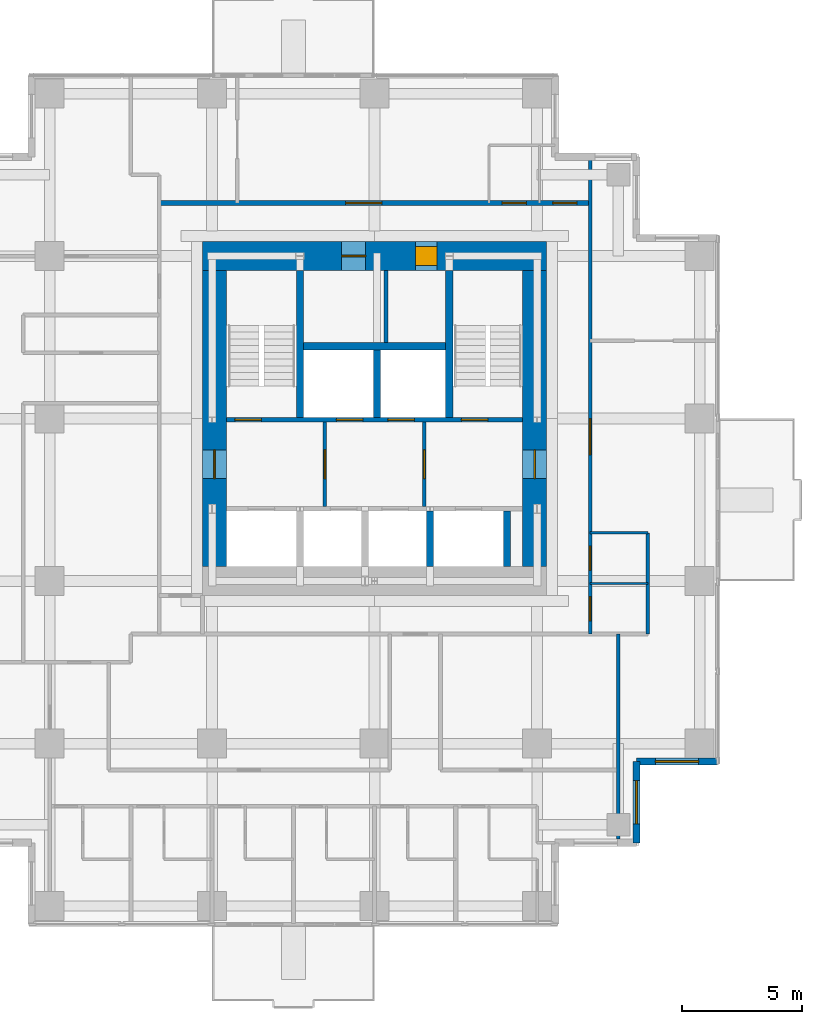
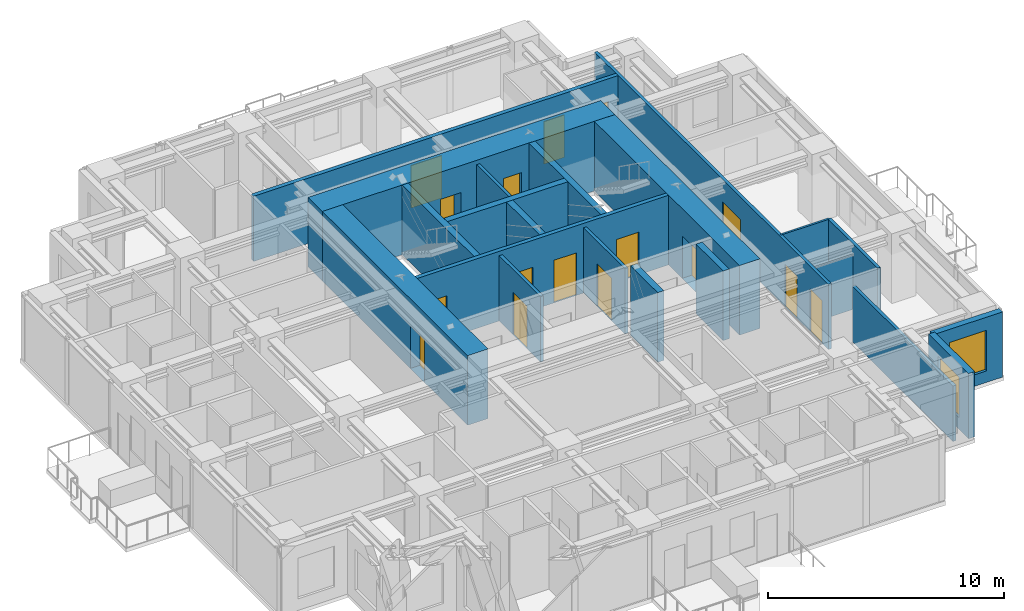
# One storey, part 6 of 8: 21 walls, 16 doors, 2 windows, 18 openings.
"""IFC4 building model written with IfcOpenShell, lengths in metres."""

from ifc_helpers import new_model, si_unit, direction, frame, frame_2d, origin, place, context, subcontext, project, spatial, rectangle, extrude, material, layer, layer_set, type_object, element, fill, save


model = new_model("IFC4")

# Units and contexts
model_context = context("Model", 3, precision=1e-05, world=origin(), true_north=direction((0.0, 1.0)))
body_context = subcontext(model_context, "Body", "Model", "MODEL_VIEW")
ifc_project = project(units=[si_unit("LENGTHUNIT", "METRE"), si_unit("AREAUNIT", "SQUARE_METRE"), si_unit("VOLUMEUNIT", "CUBIC_METRE"), si_unit("PLANEANGLEUNIT", "RADIAN"), si_unit("MASSUNIT", "GRAM", prefix="KILO")], contexts=[model_context])

# Site, building, storey
site_placement = place(None, origin())
site = spatial("IfcSite", under=ifc_project, at=site_placement, CompositionType="ELEMENT")
building_placement = place(site_placement, origin())
building = spatial("IfcBuilding", under=site, at=building_placement, Name="Nyansa Garden Tower", CompositionType="ELEMENT")
storey_placement = place(building_placement, frame((0.0, 0.0, 171.0)))
storey = spatial("IfcBuildingStorey", under=building, at=storey_placement, Name="L46", CompositionType="ELEMENT", Elevation=171.0)

# Wall, openings, doors
ifc_material_1 = material(Name="Concrete C70/85", Category="concrete")
ifc_layer_1 = layer(ifc_material_1, 0.199951171875)
ifc_layer_set_1 = layer_set([ifc_layer_1], Name="Core inner wall CI200")
wall_type_1 = type_object("IfcWallType", Name="Core inner wall CI200", PredefinedType="SHEAR", material=ifc_layer_set_1)
wall_1_placement = place(storey_placement, frame((14.10009765625, 20.199951171875, 0.0), z_axis=(0.0, 0.0, 1.0), x_axis=(1.0, 0.0, 0.0)))
wall_1 = element("IfcWall", 1, at=wall_1_placement, inside=storey, type_object=wall_type_1, Name="Core inner wall L46", PredefinedType="SHEAR", context=body_context, shape_type="SweptSolid", body=[
    extrude(rectangle(XDim=12.2998046875, YDim=0.199951171875, at=frame_2d((6.14990234375, 0.0))), origin(), (0.0, 0.0, 1.0), 3.60009765625),
])
opening_1_placement = place(wall_1_placement, frame((4.56005859375, 0.0, 0.0)))
opening_1 = element("IfcOpeningElement", 2, at=opening_1_placement, cuts=wall_1, Name="Opening LD-B", PredefinedType="OPENING", context=body_context, shape_type="SweptSolid", body=[
    extrude(rectangle(XDim=1.10009765625, YDim=2.199951171875, at=frame_2d((0.550048828125, 1.10009765625))), frame((0.0, 0.10986328125, 0.0), z_axis=(0.0, -1.0, 0.0), x_axis=(1.0, 0.0, 0.0)), (0.0, 0.0, 1.0), 0.219970703125),
])
opening_2_placement = place(wall_1_placement, frame((6.699951171875, 0.0, 0.0)))
opening_2 = element("IfcOpeningElement", 3, at=opening_2_placement, cuts=wall_1, Name="Opening LD-B", PredefinedType="OPENING", context=body_context, shape_type="SweptSolid", body=[
    extrude(rectangle(XDim=1.10009765625, YDim=2.199951171875, at=frame_2d((0.550048828125, 1.10009765625))), frame((0.0, 0.10986328125, 0.0), z_axis=(0.0, -1.0, 0.0), x_axis=(1.0, 0.0, 0.0)), (0.0, 0.0, 1.0), 0.219970703125),
])
opening_3_placement = place(wall_1_placement, frame((0.35009765625, 0.0, 0.0)))
opening_3 = element("IfcOpeningElement", 4, at=opening_3_placement, cuts=wall_1, Name="Opening D05", PredefinedType="OPENING", context=body_context, shape_type="SweptSolid", body=[
    extrude(rectangle(XDim=1.10009765625, YDim=2.199951171875, at=frame_2d((0.550048828125, 1.10009765625))), frame((0.0, 0.10986328125, 0.0), z_axis=(0.0, -1.0, 0.0), x_axis=(1.0, 0.0, 0.0)), (0.0, 0.0, 1.0), 0.219970703125),
])
opening_4_placement = place(wall_1_placement, frame((9.75, 0.0, 0.0)))
opening_4 = element("IfcOpeningElement", 5, at=opening_4_placement, cuts=wall_1, Name="Opening D05", PredefinedType="OPENING", context=body_context, shape_type="SweptSolid", body=[
    extrude(rectangle(XDim=1.10009765625, YDim=2.199951171875, at=frame_2d((0.550048828125, 1.10009765625))), frame((0.0, 0.10986328125, 0.0), z_axis=(0.0, -1.0, 0.0), x_axis=(1.0, 0.0, 0.0)), (0.0, 0.0, 1.0), 0.219970703125),
])
ifc_material_2 = material(Name="Stainless steel centre-opening landing door of the high-rise lift, E 120", Category="steel")
door_type_1 = type_object("IfcDoorType", Name="Lift landing door LD-B 1100x2200", OperationType="DOUBLE_DOOR_SLIDING", PredefinedType="DOOR", material=ifc_material_2)
door_1_placement = place(opening_1_placement, origin())
door_1 = element("IfcDoor", 6, at=door_1_placement, inside=storey, type_object=door_type_1, Name="Landing door B3", OperationType="DOUBLE_DOOR_SLIDING", OverallHeight=2.199951171875, OverallWidth=1.10009765625, PredefinedType="DOOR", context=body_context, shape_type="SweptSolid", body=[
    extrude(rectangle(XDim=1.10009765625, YDim=2.199951171875, at=frame_2d((0.550048828125, 1.10009765625))), frame((0.0, 0.02490234375, 0.0), z_axis=(0.0, -1.0, 0.0), x_axis=(1.0, 0.0, 0.0)), (0.0, 0.0, 1.0), 0.050048828125),
])
fill(opening_1, door_1)
door_2_placement = place(opening_2_placement, origin())
door_2 = element("IfcDoor", 7, at=door_2_placement, inside=storey, type_object=door_type_1, Name="Landing door B4", OperationType="DOUBLE_DOOR_SLIDING", OverallHeight=2.199951171875, OverallWidth=1.10009765625, PredefinedType="DOOR", context=body_context, shape_type="SweptSolid", body=[
    extrude(rectangle(XDim=1.10009765625, YDim=2.199951171875, at=frame_2d((0.550048828125, 1.10009765625))), frame((0.0, 0.02490234375, 0.0), z_axis=(0.0, -1.0, 0.0), x_axis=(1.0, 0.0, 0.0)), (0.0, 0.0, 1.0), 0.050048828125),
])
fill(opening_2, door_2)
ifc_material_3 = material(Name="Steel door, 120 minute fire resisting", Category="steel")
door_type_2 = type_object("IfcDoorType", Name="Stair door D05 1100x2200", OperationType="SINGLE_SWING_LEFT", PredefinedType="DOOR", material=ifc_material_3)
door_3_placement = place(opening_3_placement, origin())
door_3 = element("IfcDoor", 8, at=door_3_placement, inside=storey, type_object=door_type_2, Name="Stair S1 door", OperationType="SINGLE_SWING_LEFT", OverallHeight=2.199951171875, OverallWidth=1.10009765625, PredefinedType="DOOR", context=body_context, shape_type="SweptSolid", body=[
    extrude(rectangle(XDim=1.10009765625, YDim=2.199951171875, at=frame_2d((0.550048828125, 1.10009765625))), frame((0.0, 0.02490234375, 0.0), z_axis=(0.0, -1.0, 0.0), x_axis=(1.0, 0.0, 0.0)), (0.0, 0.0, 1.0), 0.050048828125),
])
fill(opening_3, door_3)
door_4_placement = place(opening_4_placement, origin())
door_4 = element("IfcDoor", 9, at=door_4_placement, inside=storey, type_object=door_type_2, Name="Stair S2 door", OperationType="SINGLE_SWING_LEFT", OverallHeight=2.199951171875, OverallWidth=1.10009765625, PredefinedType="DOOR", context=body_context, shape_type="SweptSolid", body=[
    extrude(rectangle(XDim=1.10009765625, YDim=2.199951171875, at=frame_2d((0.550048828125, 1.10009765625))), frame((0.0, 0.02490234375, 0.0), z_axis=(0.0, -1.0, 0.0), x_axis=(1.0, 0.0, 0.0)), (0.0, 0.0, 1.0), 0.050048828125),
])
fill(opening_4, door_4)

# Walls
ifc_material_4 = material(Name="Concrete C70/85", Category="concrete")
ifc_layer_2 = layer(ifc_material_4, 0.300048828125)
ifc_layer_set_2 = layer_set([ifc_layer_2], Name="Core inner wall CI300")
wall_type_2 = type_object("IfcWallType", Name="Core inner wall CI300", PredefinedType="SHEAR", material=ifc_layer_set_2)
for number, where, z_axis, x_axis, name in (
    (10, (17.14990234375, 20.300048828125, 0.0), (0.0, 0.0, 1.0), (0.0, 1.0, 0.0), "Core inner wall L46"),
    (11, (23.35009765625, 20.300048828125, 0.0), (0.0, 0.0, 1.0), (0.0, 1.0, 0.0), "Core inner wall L46"),
):
    element("IfcWall", number, at=place(storey_placement, frame(where, z_axis=z_axis, x_axis=x_axis)), inside=storey, type_object=wall_type_2, Name=name, PredefinedType="SHEAR", context=body_context, shape_type="SweptSolid", body=[
        extrude(rectangle(XDim=6.099853515625, YDim=0.300048828125, at=frame_2d((3.0498046875, 0.0))), origin(), (0.0, 0.0, 1.0), 3.60009765625),
    ])
wall_2_placement = place(storey_placement, frame((20.35009765625, 20.300048828125, 0.0), z_axis=(0.0, 0.0, 1.0), x_axis=(0.0, 1.0, 0.0)))
element("IfcWall", 12, at=wall_2_placement, inside=storey, type_object=wall_type_2, Name="Core inner wall L46", PredefinedType="SHEAR", context=body_context, shape_type="SweptSolid", body=[
    extrude(rectangle(XDim=2.800048828125, YDim=0.300048828125, at=frame_2d((1.39990234375, 0.0))), origin(), (0.0, 0.0, 1.0), 3.60009765625),
])
wall_3_placement = place(storey_placement, frame((17.300048828125, 23.25, 0.0), z_axis=(0.0, 0.0, 1.0), x_axis=(1.0, 0.0, 0.0)))
element("IfcWall", 13, at=wall_3_placement, inside=storey, type_object=wall_type_2, Name="Core inner wall L46", PredefinedType="SHEAR", context=body_context, shape_type="SweptSolid", body=[
    extrude(rectangle(XDim=5.89990234375, YDim=0.300048828125, at=frame_2d((2.949951171875, 0.0))), origin(), (0.0, 0.0, 1.0), 3.60009765625),
])
for number, where, z_axis, x_axis, name in (
    (14, (22.550048828125, 14.10009765625, 0.0), (0.0, 0.0, 1.0), (0.0, 1.0, 0.0), "Core inner wall L46"),
    (15, (25.75, 14.10009765625, 0.0), (0.0, 0.0, 1.0), (0.0, 1.0, 0.0), "Core inner wall L46"),
):
    element("IfcWall", number, at=place(storey_placement, frame(where, z_axis=z_axis, x_axis=x_axis)), inside=storey, type_object=wall_type_2, Name=name, PredefinedType="SHEAR", context=body_context, shape_type="SweptSolid", body=[
        extrude(rectangle(XDim=2.2998046875, YDim=0.300048828125, at=frame_2d((1.14990234375, 0.0))), origin(), (0.0, 0.0, 1.0), 3.60009765625),
    ])

# Wall, opening, door
ifc_material_5 = material(Name="Concrete C80/95", Category="concrete")
ifc_layer_3 = layer(ifc_material_5, 1.0)
ifc_layer_set_3 = layer_set([ifc_layer_3], Name="Core wall CW1000")
wall_type_3 = type_object("IfcWallType", Name="Core wall CW1000", PredefinedType="SHEAR", material=ifc_layer_set_3)
wall_4_placement = place(storey_placement, frame((26.89990234375, 14.10009765625, 0.0), z_axis=(0.0, 0.0, 1.0), x_axis=(0.0, 1.0, 0.0)))
wall_4 = element("IfcWall", 16, at=wall_4_placement, inside=storey, type_object=wall_type_3, Name="Core wall E L46", PredefinedType="SHEAR", context=body_context, shape_type="SweptSolid", body=[
    extrude(rectangle(XDim=12.2998046875, YDim=1.0, at=frame_2d((6.14990234375, 0.0))), origin(), (0.0, 0.0, 1.0), 3.60009765625),
])
opening_5_placement = place(wall_4_placement, frame((3.64990234375, 0.0, 0.0)))
opening_5 = element("IfcOpeningElement", 17, at=opening_5_placement, cuts=wall_4, Name="Opening D06", PredefinedType="OPENING", context=body_context, shape_type="SweptSolid", body=[
    extrude(rectangle(XDim=1.199951171875, YDim=2.199951171875, at=frame_2d((0.60009765625, 1.10009765625))), frame((0.0, 0.510009765625, 0.0), z_axis=(0.0, -1.0, 0.0), x_axis=(1.0, 0.0, 0.0)), (0.0, 0.0, 1.0), 1.02001953125),
])
ifc_material_6 = material(Name="Steel door, 120 minute fire resisting", Category="steel")
door_type_3 = type_object("IfcDoorType", Name="Lobby door D06 1200x2200", OperationType="DOUBLE_DOOR_SINGLE_SWING", PredefinedType="DOOR", material=ifc_material_6)
door_5_placement = place(opening_5_placement, origin())
door_5 = element("IfcDoor", 18, at=door_5_placement, inside=storey, type_object=door_type_3, Name="Lift lobby door east", OperationType="DOUBLE_DOOR_SINGLE_SWING", OverallHeight=2.199951171875, OverallWidth=1.199951171875, PredefinedType="DOOR", context=body_context, shape_type="SweptSolid", body=[
    extrude(rectangle(XDim=1.199951171875, YDim=2.199951171875, at=frame_2d((0.60009765625, 1.10009765625))), frame((0.0, 0.02490234375, 0.0), z_axis=(0.0, -1.0, 0.0), x_axis=(1.0, 0.0, 0.0)), (0.0, 0.0, 1.0), 0.050048828125),
])
fill(opening_5, door_5)

wall_5_placement = place(storey_placement, frame((13.60009765625, 26.39990234375, 0.0), z_axis=(0.0, 0.0, 1.0), x_axis=(0.0, -1.0, 0.0)))
wall_5 = element("IfcWall", 19, at=wall_5_placement, inside=storey, type_object=wall_type_3, Name="Core wall W L46", PredefinedType="SHEAR", context=body_context, shape_type="SweptSolid", body=[
    extrude(rectangle(XDim=12.2998046875, YDim=1.0, at=frame_2d((6.14990234375, 0.0))), origin(), (0.0, 0.0, 1.0), 3.60009765625),
])
opening_6_placement = place(wall_5_placement, frame((7.449951171875, 0.0, 0.0)))
opening_6 = element("IfcOpeningElement", 20, at=opening_6_placement, cuts=wall_5, Name="Opening D06", PredefinedType="OPENING", context=body_context, shape_type="SweptSolid", body=[
    extrude(rectangle(XDim=1.199951171875, YDim=2.199951171875, at=frame_2d((0.60009765625, 1.10009765625))), frame((0.0, 0.510009765625, 0.0), z_axis=(0.0, -1.0, 0.0), x_axis=(1.0, 0.0, 0.0)), (0.0, 0.0, 1.0), 1.02001953125),
])
door_6_placement = place(opening_6_placement, origin())
door_6 = element("IfcDoor", 21, at=door_6_placement, inside=storey, type_object=door_type_3, Name="Lift lobby door west", OperationType="DOUBLE_DOOR_SINGLE_SWING", OverallHeight=2.199951171875, OverallWidth=1.199951171875, PredefinedType="DOOR", context=body_context, shape_type="SweptSolid", body=[
    extrude(rectangle(XDim=1.199951171875, YDim=2.199951171875, at=frame_2d((0.60009765625, 1.10009765625))), frame((0.0, 0.02490234375, 0.0), z_axis=(0.0, -1.0, 0.0), x_axis=(1.0, 0.0, 0.0)), (0.0, 0.0, 1.0), 0.050048828125),
])
fill(opening_6, door_6)

# Wall, openings, doors
ifc_material_7 = material(Name="Concrete C80/95", Category="concrete")
ifc_layer_4 = layer(ifc_material_7, 1.199951171875)
ifc_layer_set_4 = layer_set([ifc_layer_4], Name="Core wall CW1200")
wall_type_4 = type_object("IfcWallType", Name="Core wall CW1200", PredefinedType="SHEAR", material=ifc_layer_set_4)
wall_6_placement = place(storey_placement, frame((27.39990234375, 27.0, 0.0), z_axis=(0.0, 0.0, 1.0), x_axis=(-1.0, 0.0, 0.0)))
wall_6 = element("IfcWall", 22, at=wall_6_placement, inside=storey, type_object=wall_type_4, Name="Core wall N L46", PredefinedType="SHEAR", context=body_context, shape_type="SweptSolid", body=[
    extrude(rectangle(XDim=14.2998046875, YDim=1.199951171875, at=frame_2d((7.14990234375, 0.0))), origin(), (0.0, 0.0, 1.0), 3.60009765625),
])
opening_7_placement = place(wall_6_placement, frame((4.550048828125, 0.0, 0.0)))
opening_7 = element("IfcOpeningElement", 23, at=opening_7_placement, cuts=wall_6, Name="Opening D15", PredefinedType="OPENING", context=body_context, shape_type="SweptSolid", body=[
    extrude(rectangle(XDim=0.89990234375, YDim=2.199951171875, at=frame_2d((0.449951171875, 1.10009765625))), frame((0.0, 0.60986328125, 0.0), z_axis=(0.0, -1.0, 0.0), x_axis=(1.0, 0.0, 0.0)), (0.0, 0.0, 1.0), 1.219970703125),
])
opening_8_placement = place(wall_6_placement, frame((7.52490234375, 0.0, 0.0)))
opening_8 = element("IfcOpeningElement", 24, at=opening_8_placement, cuts=wall_6, Name="Opening D07", PredefinedType="OPENING", context=body_context, shape_type="SweptSolid", body=[
    extrude(rectangle(XDim=1.0, YDim=2.199951171875, at=frame_2d((0.5, 1.10009765625))), frame((0.0, 0.60986328125, 0.0), z_axis=(0.0, -1.0, 0.0), x_axis=(1.0, 0.0, 0.0)), (0.0, 0.0, 1.0), 1.219970703125),
])
ifc_material_8 = material(Name="Timber flush door, 60 minute fire resisting, self-closing", Category="wood")
door_type_4 = type_object("IfcDoorType", Name="Core room door D15 900x2200", OperationType="SINGLE_SWING_LEFT", PredefinedType="DOOR", material=ifc_material_8)
door_7_placement = place(opening_7_placement, origin())
door_7 = element("IfcDoor", 25, at=door_7_placement, inside=storey, type_object=door_type_4, Name="Core room door", OperationType="SINGLE_SWING_LEFT", OverallHeight=2.199951171875, OverallWidth=0.89990234375, PredefinedType="DOOR", context=body_context, shape_type="SweptSolid", body=[
    extrude(rectangle(XDim=0.89990234375, YDim=2.199951171875, at=frame_2d((0.449951171875, 1.10009765625))), frame((0.0, 0.39990234375, 0.0), z_axis=(0.0, -1.0, 0.0), x_axis=(1.0, 0.0, 0.0)), (0.0, 0.0, 1.0), 0.800048828125),
])
fill(opening_7, door_7)
ifc_material_9 = material(Name="Steel door, 120 minute fire resisting", Category="steel")
door_type_5 = type_object("IfcDoorType", Name="Riser door D07 1000x2200", OperationType="SINGLE_SWING_LEFT", PredefinedType="DOOR", material=ifc_material_9)
door_8_placement = place(opening_8_placement, origin())
door_8 = element("IfcDoor", 26, at=door_8_placement, inside=storey, type_object=door_type_5, Name="Riser and refuse room door", OperationType="SINGLE_SWING_LEFT", OverallHeight=2.199951171875, OverallWidth=1.0, PredefinedType="DOOR", context=body_context, shape_type="SweptSolid", body=[
    extrude(rectangle(XDim=1.0, YDim=2.199951171875, at=frame_2d((0.5, 1.10009765625))), frame((0.0, 0.02490234375, 0.0), z_axis=(0.0, -1.0, 0.0), x_axis=(1.0, 0.0, 0.0)), (0.0, 0.0, 1.0), 0.050048828125),
])
fill(opening_8, door_8)

ifc_material_10 = material(Name="Concrete blockwork, plastered, 60 minute fire resisting", Category="masonry")
ifc_layer_5 = layer(ifc_material_10, 0.199951171875)
ifc_layer_set_5 = layer_set([ifc_layer_5], Name="Corridor wall FW200")
wall_type_5 = type_object("IfcWallType", Name="Corridor wall FW200", PredefinedType="PARTITIONING", material=ifc_layer_set_5)
wall_7_placement = place(storey_placement, frame((11.300048828125, 29.199951171875, 0.0), z_axis=(0.0, 0.0, 1.0), x_axis=(1.0, 0.0, 0.0)))
wall_7 = element("IfcWall", 27, at=wall_7_placement, inside=storey, type_object=wall_type_5, Name="Corridor wall", PredefinedType="PARTITIONING", context=body_context, shape_type="SweptSolid", body=[
    extrude(rectangle(XDim=17.89990234375, YDim=0.199951171875, at=frame_2d((8.949951171875, 0.0))), origin(), (0.0, 0.0, 1.0), 3.375),
])
opening_9_placement = place(wall_7_placement, frame((14.25, 0.0, 0.0)))
opening_9 = element("IfcOpeningElement", 28, at=opening_9_placement, cuts=wall_7, Name="Opening D08", PredefinedType="OPENING", context=body_context, shape_type="SweptSolid", body=[
    extrude(rectangle(XDim=1.0, YDim=2.199951171875, at=frame_2d((0.5, 1.10009765625))), frame((0.0, 0.10986328125, 0.0), z_axis=(0.0, -1.0, 0.0), x_axis=(1.0, 0.0, 0.0)), (0.0, 0.0, 1.0), 0.219970703125),
])
opening_10_placement = place(wall_7_placement, frame((16.35009765625, 0.0, 0.0)))
opening_10 = element("IfcOpeningElement", 29, at=opening_10_placement, cuts=wall_7, Name="Opening D08", PredefinedType="OPENING", context=body_context, shape_type="SweptSolid", body=[
    extrude(rectangle(XDim=1.0, YDim=2.199951171875, at=frame_2d((0.5, 1.10009765625))), frame((0.0, 0.10986328125, 0.0), z_axis=(0.0, -1.0, 0.0), x_axis=(1.0, 0.0, 0.0)), (0.0, 0.0, 1.0), 0.219970703125),
])
opening_11_placement = place(wall_7_placement, frame((7.74853515625, 0.0, 0.0)))
opening_11 = element("IfcOpeningElement", 30, at=opening_11_placement, cuts=wall_7, Name="Opening D10", PredefinedType="OPENING", context=body_context, shape_type="SweptSolid", body=[
    extrude(rectangle(XDim=1.5, YDim=2.199951171875, at=frame_2d((0.75, 1.10009765625))), frame((0.0, 0.10986328125, 0.0), z_axis=(0.0, -1.0, 0.0), x_axis=(1.0, 0.0, 0.0)), (0.0, 0.0, 1.0), 0.219970703125),
])
ifc_material_11 = material(Name="Timber flush door, outward opening", Category="wood")
door_type_6 = type_object("IfcDoorType", Name="Accessible WC door D08 1000x2200", OperationType="SINGLE_SWING_LEFT", PredefinedType="DOOR", material=ifc_material_11)
door_9_placement = place(opening_9_placement, origin())
door_9 = element("IfcDoor", 31, at=door_9_placement, inside=storey, type_object=door_type_6, Name="Door L46-037", OperationType="SINGLE_SWING_LEFT", OverallHeight=2.199951171875, OverallWidth=1.0, PredefinedType="DOOR", context=body_context, shape_type="SweptSolid", body=[
    extrude(rectangle(XDim=1.0, YDim=2.199951171875, at=frame_2d((0.5, 1.10009765625))), frame((0.0, 0.02490234375, 0.0), z_axis=(0.0, -1.0, 0.0), x_axis=(1.0, 0.0, 0.0)), (0.0, 0.0, 1.0), 0.050048828125),
])
fill(opening_9, door_9)
door_10_placement = place(opening_10_placement, origin())
door_10 = element("IfcDoor", 32, at=door_10_placement, inside=storey, type_object=door_type_6, Name="Door L46-038", OperationType="SINGLE_SWING_LEFT", OverallHeight=2.199951171875, OverallWidth=1.0, PredefinedType="DOOR", context=body_context, shape_type="SweptSolid", body=[
    extrude(rectangle(XDim=1.0, YDim=2.199951171875, at=frame_2d((0.5, 1.10009765625))), frame((0.0, 0.02490234375, 0.0), z_axis=(0.0, -1.0, 0.0), x_axis=(1.0, 0.0, 0.0)), (0.0, 0.0, 1.0), 0.050048828125),
])
fill(opening_10, door_10)
ifc_material_12 = material(Name="Timber glazed door, 60 minute fire resisting", Category="wood")
door_type_7 = type_object("IfcDoorType", Name="Lounge door D10 1500x2200", OperationType="DOUBLE_DOOR_SINGLE_SWING", PredefinedType="DOOR", material=ifc_material_12)
door_11_placement = place(opening_11_placement, origin())
door_11 = element("IfcDoor", 33, at=door_11_placement, inside=storey, type_object=door_type_7, Name="Door L46-040", OperationType="DOUBLE_DOOR_SINGLE_SWING", OverallHeight=2.199951171875, OverallWidth=1.5, PredefinedType="DOOR", context=body_context, shape_type="SweptSolid", body=[
    extrude(rectangle(XDim=1.5, YDim=2.199951171875, at=frame_2d((0.75, 1.10009765625))), frame((0.0, 0.02490234375, 0.0), z_axis=(0.0, -1.0, 0.0), x_axis=(1.0, 0.0, 0.0)), (0.0, 0.0, 1.0), 0.050048828125),
])
fill(opening_11, door_11)

# Wall, opening, door
ifc_material_13 = material(Name="Blockwork, plastered both sides", Category="masonry")
ifc_layer_6 = layer(ifc_material_13, 0.14990234375)
ifc_layer_set_6 = layer_set([ifc_layer_6], Name="Partition PW150")
wall_type_6 = type_object("IfcWallType", Name="Partition PW150", PredefinedType="PARTITIONING", material=ifc_layer_set_6)
wall_8_placement = place(storey_placement, frame((18.18505859375, 16.60009765625, 0.0), z_axis=(0.0, 0.0, 1.0), x_axis=(0.0, 1.0, 0.0)))
wall_8 = element("IfcWall", 34, at=wall_8_placement, inside=storey, type_object=wall_type_6, Name="Partition", PredefinedType="PARTITIONING", context=body_context, shape_type="SweptSolid", body=[
    extrude(rectangle(XDim=3.5, YDim=0.14990234375, at=frame_2d((1.75, 0.0))), origin(), (0.0, 0.0, 1.0), 3.375),
])
opening_12_placement = place(wall_8_placement, frame((1.14990234375, 0.0, 0.0)))
opening_12 = element("IfcOpeningElement", 35, at=opening_12_placement, cuts=wall_8, Name="Opening D06", PredefinedType="OPENING", context=body_context, shape_type="SweptSolid", body=[
    extrude(rectangle(XDim=1.199951171875, YDim=2.199951171875, at=frame_2d((0.60009765625, 1.10009765625))), frame((0.0, 0.0849609375, 0.0), z_axis=(0.0, -1.0, 0.0), x_axis=(1.0, 0.0, 0.0)), (0.0, 0.0, 1.0), 0.169921875),
])
door_12_placement = place(opening_12_placement, origin())
door_12 = element("IfcDoor", 36, at=door_12_placement, inside=storey, type_object=door_type_3, Name="Passenger lift lobby door", OperationType="DOUBLE_DOOR_SINGLE_SWING", OverallHeight=2.199951171875, OverallWidth=1.199951171875, PredefinedType="DOOR", context=body_context, shape_type="SweptSolid", body=[
    extrude(rectangle(XDim=1.199951171875, YDim=2.199951171875, at=frame_2d((0.60009765625, 1.10009765625))), frame((0.0, 0.02490234375, 0.0), z_axis=(0.0, -1.0, 0.0), x_axis=(1.0, 0.0, 0.0)), (0.0, 0.0, 1.0), 0.050048828125),
])
fill(opening_12, door_12)

wall_9_placement = place(storey_placement, frame((22.31494140625, 16.60009765625, 0.0), z_axis=(0.0, 0.0, 1.0), x_axis=(0.0, 1.0, 0.0)))
wall_9 = element("IfcWall", 37, at=wall_9_placement, inside=storey, type_object=wall_type_6, Name="Partition", PredefinedType="PARTITIONING", context=body_context, shape_type="SweptSolid", body=[
    extrude(rectangle(XDim=3.5, YDim=0.14990234375, at=frame_2d((1.75, 0.0))), origin(), (0.0, 0.0, 1.0), 3.375),
])
opening_13_placement = place(wall_9_placement, frame((1.14990234375, 0.0, 0.0)))
opening_13 = element("IfcOpeningElement", 38, at=opening_13_placement, cuts=wall_9, Name="Opening D06", PredefinedType="OPENING", context=body_context, shape_type="SweptSolid", body=[
    extrude(rectangle(XDim=1.199951171875, YDim=2.199951171875, at=frame_2d((0.60009765625, 1.10009765625))), frame((0.0, 0.0849609375, 0.0), z_axis=(0.0, -1.0, 0.0), x_axis=(1.0, 0.0, 0.0)), (0.0, 0.0, 1.0), 0.169921875),
])
door_13_placement = place(opening_13_placement, origin())
door_13 = element("IfcDoor", 39, at=door_13_placement, inside=storey, type_object=door_type_3, Name="Passenger lift lobby door", OperationType="DOUBLE_DOOR_SINGLE_SWING", OverallHeight=2.199951171875, OverallWidth=1.199951171875, PredefinedType="DOOR", context=body_context, shape_type="SweptSolid", body=[
    extrude(rectangle(XDim=1.199951171875, YDim=2.199951171875, at=frame_2d((0.60009765625, 1.10009765625))), frame((0.0, 0.02490234375, 0.0), z_axis=(0.0, -1.0, 0.0), x_axis=(1.0, 0.0, 0.0)), (0.0, 0.0, 1.0), 0.050048828125),
])
fill(opening_13, door_13)

# Wall
wall_10_placement = place(storey_placement, frame((20.72509765625, 23.39990234375, 0.0), z_axis=(0.0, 0.0, 1.0), x_axis=(0.0, 1.0, 0.0)))
element("IfcWall", 40, at=wall_10_placement, inside=storey, type_object=wall_type_6, Name="Partition", PredefinedType="PARTITIONING", context=body_context, shape_type="SweptSolid", body=[
    extrude(rectangle(XDim=3.0, YDim=0.14990234375, at=frame_2d((1.5, 0.0))), origin(), (0.0, 0.0, 1.0), 3.375),
])

# Wall, openings, doors
wall_11_placement = place(storey_placement, frame((29.199951171875, 11.300048828125, 0.0), z_axis=(0.0, 0.0, 1.0), x_axis=(0.0, 1.0, 0.0)))
wall_11 = element("IfcWall", 41, at=wall_11_placement, inside=storey, type_object=wall_type_6, Name="Partition", PredefinedType="PARTITIONING", context=body_context, shape_type="SweptSolid", body=[
    extrude(rectangle(XDim=19.808837890625, YDim=0.14990234375, at=frame_2d((9.904296875, 0.0))), origin(), (0.0, 0.0, 1.0), 3.375),
])
opening_14_placement = place(wall_11_placement, frame((0.550048828125, 0.0, 0.0)))
opening_14 = element("IfcOpeningElement", 42, at=opening_14_placement, cuts=wall_11, Name="Opening D08", PredefinedType="OPENING", context=body_context, shape_type="SweptSolid", body=[
    extrude(rectangle(XDim=1.0, YDim=2.199951171875, at=frame_2d((0.5, 1.10009765625))), frame((0.0, 0.0849609375, 0.0), z_axis=(0.0, -1.0, 0.0), x_axis=(1.0, 0.0, 0.0)), (0.0, 0.0, 1.0), 0.169921875),
])
opening_15_placement = place(wall_11_placement, frame((2.64990234375, 0.0, 0.0)))
opening_15 = element("IfcOpeningElement", 43, at=opening_15_placement, cuts=wall_11, Name="Opening D08", PredefinedType="OPENING", context=body_context, shape_type="SweptSolid", body=[
    extrude(rectangle(XDim=1.0, YDim=2.199951171875, at=frame_2d((0.5, 1.10009765625))), frame((0.0, 0.0849609375, 0.0), z_axis=(0.0, -1.0, 0.0), x_axis=(1.0, 0.0, 0.0)), (0.0, 0.0, 1.0), 0.169921875),
])
opening_16_placement = place(wall_11_placement, frame((7.449951171875, 0.0, 0.0)))
opening_16 = element("IfcOpeningElement", 44, at=opening_16_placement, cuts=wall_11, Name="Opening D10", PredefinedType="OPENING", context=body_context, shape_type="SweptSolid", body=[
    extrude(rectangle(XDim=1.5, YDim=2.199951171875, at=frame_2d((0.75, 1.10009765625))), frame((0.0, 0.0849609375, 0.0), z_axis=(0.0, -1.0, 0.0), x_axis=(1.0, 0.0, 0.0)), (0.0, 0.0, 1.0), 0.169921875),
])
door_14_placement = place(opening_14_placement, origin())
door_14 = element("IfcDoor", 45, at=door_14_placement, inside=storey, type_object=door_type_6, Name="Door L46-033", OperationType="SINGLE_SWING_LEFT", OverallHeight=2.199951171875, OverallWidth=1.0, PredefinedType="DOOR", context=body_context, shape_type="SweptSolid", body=[
    extrude(rectangle(XDim=1.0, YDim=2.199951171875, at=frame_2d((0.5, 1.10009765625))), frame((0.0, 0.02490234375, 0.0), z_axis=(0.0, -1.0, 0.0), x_axis=(1.0, 0.0, 0.0)), (0.0, 0.0, 1.0), 0.050048828125),
])
fill(opening_14, door_14)
door_15_placement = place(opening_15_placement, origin())
door_15 = element("IfcDoor", 46, at=door_15_placement, inside=storey, type_object=door_type_6, Name="Door L46-034", OperationType="SINGLE_SWING_LEFT", OverallHeight=2.199951171875, OverallWidth=1.0, PredefinedType="DOOR", context=body_context, shape_type="SweptSolid", body=[
    extrude(rectangle(XDim=1.0, YDim=2.199951171875, at=frame_2d((0.5, 1.10009765625))), frame((0.0, 0.02490234375, 0.0), z_axis=(0.0, -1.0, 0.0), x_axis=(1.0, 0.0, 0.0)), (0.0, 0.0, 1.0), 0.050048828125),
])
fill(opening_15, door_15)
door_16_placement = place(opening_16_placement, origin())
door_16 = element("IfcDoor", 47, at=door_16_placement, inside=storey, type_object=door_type_7, Name="Door L46-036", OperationType="DOUBLE_DOOR_SINGLE_SWING", OverallHeight=2.199951171875, OverallWidth=1.5, PredefinedType="DOOR", context=body_context, shape_type="SweptSolid", body=[
    extrude(rectangle(XDim=1.5, YDim=2.199951171875, at=frame_2d((0.75, 1.10009765625))), frame((0.0, 0.02490234375, 0.0), z_axis=(0.0, -1.0, 0.0), x_axis=(1.0, 0.0, 0.0)), (0.0, 0.0, 1.0), 0.050048828125),
])
fill(opening_16, door_16)

# Walls
wall_12_placement = place(storey_placement, frame((30.375, 2.77490234375, 0.0), z_axis=(0.0, 0.0, 1.0), x_axis=(0.0, 1.0, 0.0)))
element("IfcWall", 48, at=wall_12_placement, inside=storey, type_object=wall_type_6, Name="Partition", PredefinedType="PARTITIONING", context=body_context, shape_type="SweptSolid", body=[
    extrude(rectangle(XDim=8.525146484375, YDim=0.14990234375, at=frame_2d((4.2626953125, 0.0))), origin(), (0.0, 0.0, 1.0), 2.876953125),
])
wall_13_placement = place(storey_placement, frame((31.60009765625, 11.300048828125, 0.0), z_axis=(0.0, 0.0, 1.0), x_axis=(0.0, 1.0, 0.0)))
element("IfcWall", 49, at=wall_13_placement, inside=storey, type_object=wall_type_6, Name="Partition", PredefinedType="PARTITIONING", context=body_context, shape_type="SweptSolid", body=[
    extrude(rectangle(XDim=4.199951171875, YDim=0.14990234375, at=frame_2d((2.10009765625, 0.0))), origin(), (0.0, 0.0, 1.0), 3.375),
])

# Wall, opening, window
ifc_material_14 = material(Name="Turquoise glazed tile on concrete blockwork", Category="masonry")
ifc_layer_7 = layer(ifc_material_14, 0.300048828125)
ifc_layer_set_7 = layer_set([ifc_layer_7], Name="Tiled corner wall TW300")
wall_type_7 = type_object("IfcWallType", Name="Tiled corner wall TW300", PredefinedType="SOLIDWALL", material=ifc_layer_set_7)
wall_14_placement = place(storey_placement, frame((31.125, 2.625, 0.0), z_axis=(0.0, 0.0, 1.0), x_axis=(0.0, 1.0, 0.0)))
wall_14 = element("IfcWall", 50, at=wall_14_placement, inside=storey, type_object=wall_type_7, Name="Tiled corner wall L46", PredefinedType="SOLIDWALL", context=body_context, shape_type="SweptSolid", body=[
    extrude(rectangle(XDim=3.375, YDim=0.300048828125, at=frame_2d((1.6875, 0.0))), origin(), (0.0, 0.0, 1.0), 3.375),
])
opening_17_placement = place(wall_14_placement, frame((0.78759765625, 0.0, 0.60009765625)))
opening_17 = element("IfcOpeningElement", 51, at=opening_17_placement, cuts=wall_14, Name="Opening W2", PredefinedType="OPENING", context=body_context, shape_type="SweptSolid", body=[
    extrude(rectangle(XDim=1.800048828125, YDim=2.10009765625, at=frame_2d((0.89990234375, 1.050048828125))), frame((0.0, 0.159912109375, 0.0), z_axis=(0.0, -1.0, 0.0), x_axis=(1.0, 0.0, 0.0)), (0.0, 0.0, 1.0), 0.320068359375),
])
ifc_material_15 = material(Name="Black aluminium frame, dark tinted double glazing", Category="aluminium")
window_type = type_object("IfcWindowType", Name="Window W2 1800x2100", PartitioningType="SINGLE_PANEL", PredefinedType="WINDOW", material=ifc_material_15)
window_1_placement = place(opening_17_placement, origin())
window_1 = element("IfcWindow", 52, at=window_1_placement, inside=storey, type_object=window_type, Name="Corner window L46", OverallHeight=2.10009765625, OverallWidth=1.800048828125, PartitioningType="SINGLE_PANEL", PredefinedType="WINDOW", context=body_context, shape_type="SweptSolid", body=[
    extrude(rectangle(XDim=1.800048828125, YDim=2.10009765625, at=frame_2d((0.89990234375, 1.050048828125))), frame((0.0, 0.030029296875, 0.0), z_axis=(0.0, -1.0, 0.0), x_axis=(1.0, 0.0, 0.0)), (0.0, 0.0, 1.0), 0.06005859375),
])
fill(opening_17, window_1)

wall_15_placement = place(storey_placement, frame((31.125, 6.0, 0.0), z_axis=(0.0, 0.0, 1.0), x_axis=(1.0, 0.0, 0.0)))
wall_15 = element("IfcWall", 53, at=wall_15_placement, inside=storey, type_object=wall_type_7, Name="Tiled corner wall L46", PredefinedType="SOLIDWALL", context=body_context, shape_type="SweptSolid", body=[
    extrude(rectangle(XDim=3.375, YDim=0.300048828125, at=frame_2d((1.6875, 0.0))), origin(), (0.0, 0.0, 1.0), 3.375),
])
opening_18_placement = place(wall_15_placement, frame((0.78759765625, 0.0, 0.60009765625)))
opening_18 = element("IfcOpeningElement", 54, at=opening_18_placement, cuts=wall_15, Name="Opening W2", PredefinedType="OPENING", context=body_context, shape_type="SweptSolid", body=[
    extrude(rectangle(XDim=1.800048828125, YDim=2.10009765625, at=frame_2d((0.89990234375, 1.050048828125))), frame((0.0, 0.159912109375, 0.0), z_axis=(0.0, -1.0, 0.0), x_axis=(1.0, 0.0, 0.0)), (0.0, 0.0, 1.0), 0.320068359375),
])
window_2_placement = place(opening_18_placement, origin())
window_2 = element("IfcWindow", 55, at=window_2_placement, inside=storey, type_object=window_type, Name="Corner window L46", OverallHeight=2.10009765625, OverallWidth=1.800048828125, PartitioningType="SINGLE_PANEL", PredefinedType="WINDOW", context=body_context, shape_type="SweptSolid", body=[
    extrude(rectangle(XDim=1.800048828125, YDim=2.10009765625, at=frame_2d((0.89990234375, 1.050048828125))), frame((0.0, 0.030029296875, 0.0), z_axis=(0.0, -1.0, 0.0), x_axis=(1.0, 0.0, 0.0)), (0.0, 0.0, 1.0), 0.06005859375),
])
fill(opening_18, window_2)

# Walls
ifc_material_16 = material(Name="Moisture resistant board on steel studs, tiled", Category="steel")
ifc_layer_8 = layer(ifc_material_16, 0.10009765625)
ifc_layer_set_8 = layer_set([ifc_layer_8], Name="Wet wall PW100")
wall_type_8 = type_object("IfcWallType", Name="Wet wall PW100", PredefinedType="PARTITIONING", material=ifc_layer_set_8)
wall_16_placement = place(storey_placement, frame((29.199951171875, 13.39990234375, 0.0), z_axis=(0.0, 0.0, 1.0), x_axis=(1.0, 0.0, 0.0)))
element("IfcWall", 56, at=wall_16_placement, inside=storey, type_object=wall_type_8, Name="Wet wall", PredefinedType="PARTITIONING", context=body_context, shape_type="SweptSolid", body=[
    extrude(rectangle(XDim=2.400146484375, YDim=0.10009765625, at=frame_2d((1.2001953125, 0.0))), origin(), (0.0, 0.0, 1.0), 2.805908203125),
])
wall_17_placement = place(storey_placement, frame((29.199951171875, 15.5, 0.0), z_axis=(0.0, 0.0, 1.0), x_axis=(1.0, 0.0, 0.0)))
element("IfcWall", 57, at=wall_17_placement, inside=storey, type_object=wall_type_8, Name="Wet wall", PredefinedType="PARTITIONING", context=body_context, shape_type="SweptSolid", body=[
    extrude(rectangle(XDim=2.400146484375, YDim=0.10009765625, at=frame_2d((1.2001953125, 0.0))), origin(), (0.0, 0.0, 1.0), 3.375),
])

save(model, "model.ifc")
